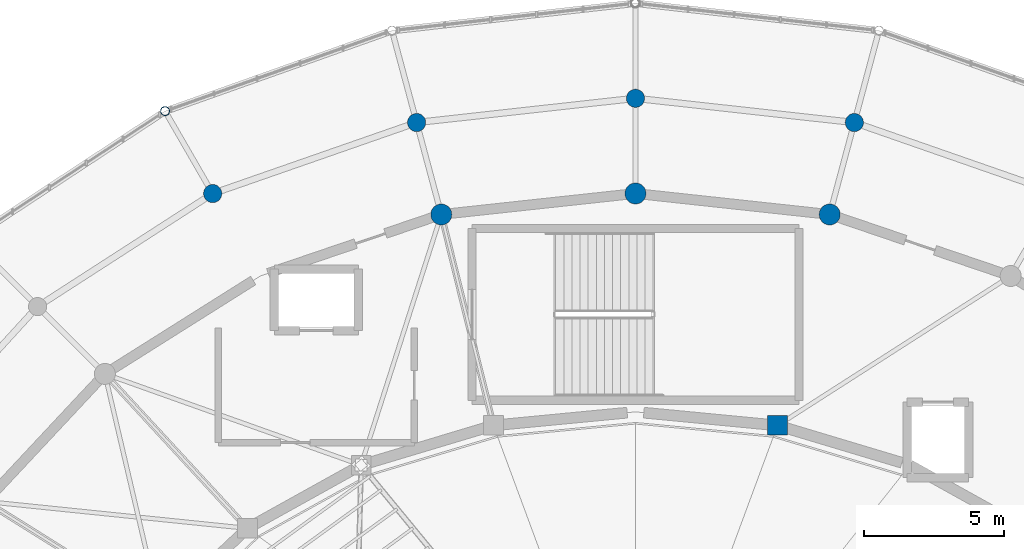
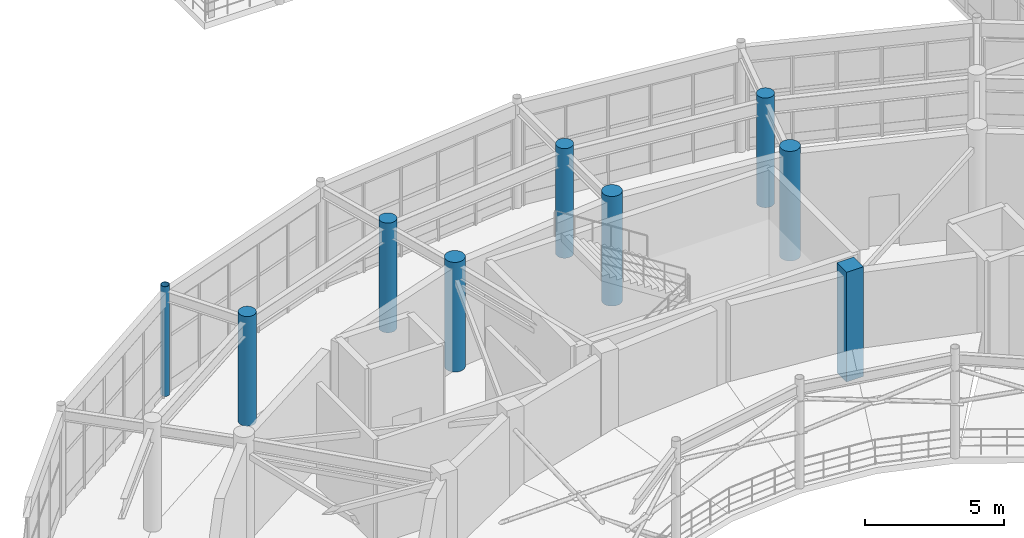
# One storey, part 12 of 144: 9 columns.
"""IFC4 building model written with IfcOpenShell, lengths in metres."""

from ifc_helpers import new_model, si_unit, direction, frame, origin, origin_2d, place, context, subcontext, project, spatial, rectangle, circle, hollow_circle, extrude, material, material_profile, profile_set, type_object, element, save


model = new_model("IFC4")

# Units and contexts
model_context = context("Model", 3, precision=1e-05, world=origin(), true_north=direction((0.0, 1.0)))
body_context = subcontext(model_context, "Body", "Model", "MODEL_VIEW")
ifc_project = project(units=[si_unit("LENGTHUNIT", "METRE"), si_unit("AREAUNIT", "SQUARE_METRE"), si_unit("VOLUMEUNIT", "CUBIC_METRE"), si_unit("PLANEANGLEUNIT", "RADIAN"), si_unit("MASSUNIT", "GRAM", prefix="KILO")], contexts=[model_context])

# Site, building, storey
site_placement = place(None, origin())
site = spatial("IfcSite", under=ifc_project, at=site_placement, CompositionType="ELEMENT")
building_placement = place(site_placement, origin())
building = spatial("IfcBuilding", under=site, at=building_placement, Name="Cinderbank Siding Concert Hall", CompositionType="ELEMENT")
storey_placement = place(building_placement, frame((0.0, 0.0, 5.39990234375)))
storey = spatial("IfcBuildingStorey", under=building, at=storey_placement, Name="L02", CompositionType="ELEMENT", Elevation=5.39990234375)

# Columns
ifc_material_1 = material(Name="Structural steel hollow section AS/NZS 1163 Grade C350L0 (350 MPa)", Category="steel")
ifc_material_profile_1 = material_profile(ifc_material_1, hollow_circle(Radius=0.161865234375, WallThickness=0.0126953125, at=origin_2d()), Name="323.9x12.7CHS", Category="LoadBearing")
ifc_profile_set_1 = profile_set([ifc_material_profile_1], Name="Structural steel hollow section AS/NZS 1163 Grade C350L0 (350 MPa)")
column_type_1 = type_object("IfcColumnType", Name="C-CHS323 323.9x12.7CHS", PredefinedType="COLUMN", material=ifc_profile_set_1)
column_1_placement = place(storey_placement, frame((105.199951171875, 68.94189453125, 0.0), z_axis=(0.0, 0.0, 1.0), x_axis=(1.0, 0.0, 0.0)))
element("IfcColumn", 1, at=column_1_placement, inside=storey, type_object=column_type_1, Name="L02 Column COL-E4-09", PredefinedType="COLUMN", context=body_context, shape_type="SweptSolid", body=[
    extrude(hollow_circle(Radius=0.161865234375, WallThickness=0.0126953125, at=origin_2d()), origin(), (0.0, 0.0, 1.0), 4.800048828125),
])
ifc_material_2 = material(Name="Reinforced concrete AS 3600 N50 (50 MPa)", Category="concrete")
ifc_material_profile_2 = material_profile(ifc_material_2, rectangle(XDim=0.699951171875, YDim=0.699951171875, at=origin_2d()), Name="RC-COL-700x700", Category="LoadBearing")
ifc_profile_set_2 = profile_set([ifc_material_profile_2], Name="Reinforced concrete AS 3600 N50 (50 MPa)")
column_type_2 = type_object("IfcColumnType", Name="C-RC700 RC-COL-700x700", PredefinedType="COLUMN", material=ifc_profile_set_2)
column_2_placement = place(storey_placement, frame((127.072998046875, 57.716064453125, 0.0), z_axis=(0.0, 0.0, 1.0), x_axis=(1.0, 0.0, 0.0)))
element("IfcColumn", 2, at=column_2_placement, inside=storey, type_object=column_type_2, Name="L02 Column COL-E1-06", PredefinedType="COLUMN", context=body_context, shape_type="SweptSolid", body=[
    extrude(rectangle(XDim=0.699951171875, YDim=0.699951171875, at=origin_2d()), origin(), (0.0, 0.0, 1.0), 4.800048828125),
])
ifc_material_profile_3 = material_profile(ifc_material_2, circle(Radius=0.324951171875, at=origin_2d()), Name="RC-COL-650DIA", Category="LoadBearing")
ifc_profile_set_3 = profile_set([ifc_material_profile_3], Name="Reinforced concrete AS 3600 N50 (50 MPa)")
column_type_3 = type_object("IfcColumnType", Name="C-RCD650 RC-COL-650DIA", PredefinedType="COLUMN", material=ifc_profile_set_3)
for number, where, z_axis, x_axis, name in (
    (3, (129.81591796875, 68.533935546875, 0.0), (0.0, 0.0, 1.0), (1.0, 0.0, 0.0), "L02 Column COL-E3-06"),
    (4, (122.0, 69.39990234375, 0.0), (0.0, 0.0, 1.0), (1.0, 0.0, 0.0), "L02 Column COL-E3-07"),
    (5, (114.18408203125, 68.533935546875, 0.0), (0.0, 0.0, 1.0), (1.0, 0.0, 0.0), "L02 Column COL-E3-08"),
    (6, (106.89990234375, 65.9970703125, 0.0), (0.0, 0.0, 1.0), (1.0, 0.0, 0.0), "L02 Column COL-E3-09"),
):
    element("IfcColumn", number, at=place(storey_placement, frame(where, z_axis=z_axis, x_axis=x_axis)), inside=storey, type_object=column_type_3, Name=name, PredefinedType="COLUMN", context=body_context, shape_type="SweptSolid", body=[
        extrude(circle(Radius=0.324951171875, at=origin_2d()), origin(), (0.0, 0.0, 1.0), 4.800048828125),
    ])
ifc_material_profile_4 = material_profile(ifc_material_2, circle(Radius=0.375, at=origin_2d()), Name="RC-COL-750DIA", Category="LoadBearing")
ifc_profile_set_4 = profile_set([ifc_material_profile_4], Name="Reinforced concrete AS 3600 N50 (50 MPa)")
column_type_4 = type_object("IfcColumnType", Name="C-RCD750 RC-COL-750DIA", PredefinedType="COLUMN", material=ifc_profile_set_4)
for number, where, z_axis, x_axis, name in (
    (7, (128.93603515625, 65.25, 0.0), (0.0, 0.0, 1.0), (1.0, 0.0, 0.0), "L02 Column COL-E2-06"),
    (8, (122.0, 66.0, 0.0), (0.0, 0.0, 1.0), (1.0, 0.0, 0.0), "L02 Column COL-E2-07"),
    (9, (115.06396484375, 65.25, 0.0), (0.0, 0.0, 1.0), (1.0, 0.0, 0.0), "L02 Column COL-E2-08"),
):
    element("IfcColumn", number, at=place(storey_placement, frame(where, z_axis=z_axis, x_axis=x_axis)), inside=storey, type_object=column_type_4, Name=name, PredefinedType="COLUMN", context=body_context, shape_type="SweptSolid", body=[
        extrude(circle(Radius=0.375, at=origin_2d()), origin(), (0.0, 0.0, 1.0), 4.800048828125),
    ])

save(model, "model.ifc")
